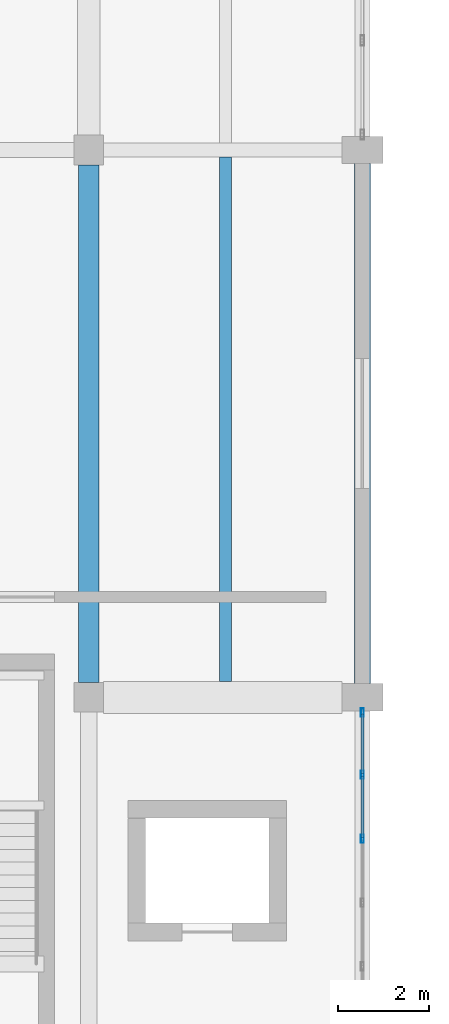
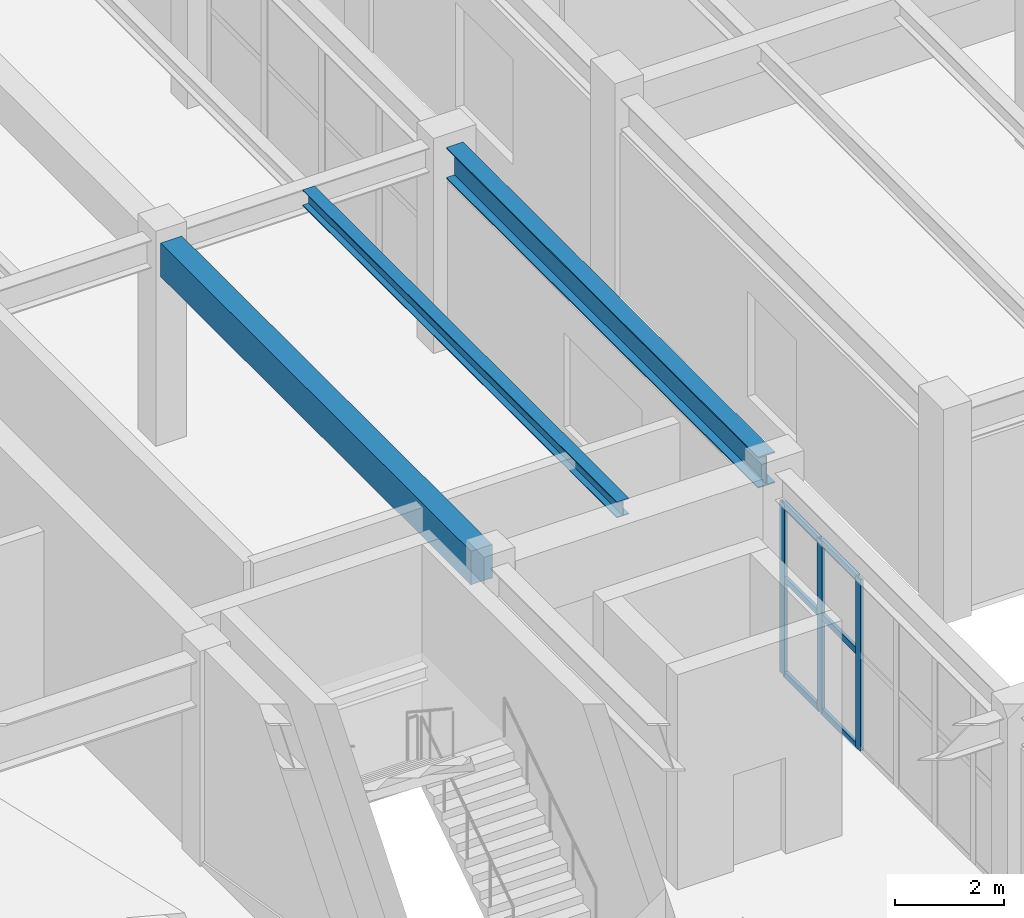
# One storey, part 28 of 80: 9 members, 3 beams, 1 element without a shape of its own.
"""IFC4 building model written with IfcOpenShell, lengths in metres."""

from ifc_helpers import new_model, si_unit, direction, frame, origin, origin_2d, place, context, subcontext, project, spatial, rectangle, hollow_rectangle, i_section, extrude, material, layer, layer_set, material_profile, profile_set, type_object, element, aggregate, save


model = new_model("IFC4")

# Units and contexts
model_context = context("Model", 3, precision=1e-05, world=origin(), true_north=direction((0.0, 1.0)))
body_context = subcontext(model_context, "Body", "Model", "MODEL_VIEW")
ifc_project = project(units=[si_unit("LENGTHUNIT", "METRE"), si_unit("AREAUNIT", "SQUARE_METRE"), si_unit("VOLUMEUNIT", "CUBIC_METRE"), si_unit("PLANEANGLEUNIT", "RADIAN"), si_unit("MASSUNIT", "GRAM", prefix="KILO")], contexts=[model_context])

# Site, building, storey
site_placement = place(None, origin())
site = spatial("IfcSite", under=ifc_project, at=site_placement, CompositionType="ELEMENT")
building_placement = place(site_placement, origin())
building = spatial("IfcBuilding", under=site, at=building_placement, Name="Vaelkrest Opera House", CompositionType="ELEMENT")
storey_placement = place(building_placement, frame((0.0, 0.0, 15.0)))
storey = spatial("IfcBuildingStorey", under=building, at=storey_placement, Name="L03", CompositionType="ELEMENT", Elevation=15.0)

# Beam
ifc_material_1 = material(Name="Concrete C50/60", Category="concrete")
ifc_material_profile_1 = material_profile(ifc_material_1, rectangle(XDim=0.449951171875, YDim=0.75, at=origin_2d()), Name="RCB450X750")
ifc_profile_set_1 = profile_set([ifc_material_profile_1], Name="Concrete C50/60")
beam_type_1 = type_object("IfcBeamType", Name="B02", PredefinedType="BEAM", material=ifc_profile_set_1)
beam_1_placement = place(storey_placement, frame((24.0, -19.47509765625, 4.1298828125), z_axis=(0.0, 1.0, 0.0), x_axis=(-1.0, 0.0, 0.0)))
element("IfcBeam", 1, at=beam_1_placement, inside=storey, type_object=beam_type_1, Name="Beam BM-V1-L03-0503", PredefinedType="BEAM", context=body_context, shape_type="SweptSolid", body=[
    extrude(rectangle(XDim=0.449951171875, YDim=0.75, at=origin_2d()), origin(), (0.0, 0.0, 1.0), 11.35009765625),
])

# Curtain wall, members
ifc_material_2 = material(Name="Dark bronze anodized aluminium", Category="aluminium")
ifc_layer = layer(ifc_material_2, 0.179931640625)
ifc_layer_set = layer_set([ifc_layer], Name="Dark bronze anodized aluminium")
curtain_wall_type = type_object("IfcCurtainWallType", Name="CW01", PredefinedType="NOTDEFINED", material=ifc_layer_set)
curtain_wall_placement = place(storey_placement, origin())
curtain_wall = element("IfcCurtainWall", 2, at=curtain_wall_placement, inside=storey, type_object=curtain_wall_type, Name="Curtain wall CW-L03-053", PredefinedType="NOTDEFINED")
ifc_material_profile_2 = material_profile(ifc_material_2, hollow_rectangle(XDim=0.06494140625, YDim=0.179931640625, WallThickness=0.00390625, at=origin_2d()), Name="CWM65X180")
ifc_profile_set_2 = profile_set([ifc_material_profile_2], Name="Dark bronze anodized aluminium")
member_type_1 = type_object("IfcMemberType", Name="CWM01", PredefinedType="MULLION", material=ifc_profile_set_2)
member_1_placement = place(storey_placement, frame((30.0, -20.130615234375, 0.0), z_axis=(0.0, 0.0, 1.0), x_axis=(1.0, 0.0, 0.0)))
member_1 = element("IfcMember", 3, at=member_1_placement, type_object=member_type_1, Name="CW01 mullion 1", PredefinedType="MULLION", context=body_context, shape_type="SweptSolid", body=[
    extrude(hollow_rectangle(XDim=0.06494140625, YDim=0.179931640625, WallThickness=0.00390625, at=origin_2d()), origin(), (0.0, 0.0, 1.0), 3.8291015625),
])
member_2_placement = place(storey_placement, frame((30.0, -21.498779296875, 0.0), z_axis=(0.0, 0.0, 1.0), x_axis=(1.0, 0.0, 0.0)))
member_2 = element("IfcMember", 4, at=member_2_placement, type_object=member_type_1, Name="CW01 mullion 2", PredefinedType="MULLION", context=body_context, shape_type="SweptSolid", body=[
    extrude(hollow_rectangle(XDim=0.06494140625, YDim=0.179931640625, WallThickness=0.00390625, at=origin_2d()), origin(), (0.0, 0.0, 1.0), 3.8291015625),
])
member_3_placement = place(storey_placement, frame((30.0, -22.8994140625, 0.0), z_axis=(0.0, 0.0, 1.0), x_axis=(1.0, 0.0, 0.0)))
member_3 = element("IfcMember", 5, at=member_3_placement, type_object=member_type_1, Name="CW01 mullion 3", PredefinedType="MULLION", context=body_context, shape_type="SweptSolid", body=[
    extrude(hollow_rectangle(XDim=0.06494140625, YDim=0.179931640625, WallThickness=0.00390625, at=origin_2d()), origin(), (0.0, 0.0, 1.0), 3.8291015625),
])
ifc_material_profile_3 = material_profile(ifc_material_2, hollow_rectangle(XDim=0.06494140625, YDim=0.139892578125, WallThickness=0.00390625, at=origin_2d()), Name="CWT65X140")
ifc_profile_set_3 = profile_set([ifc_material_profile_3], Name="Dark bronze anodized aluminium")
member_type_2 = type_object("IfcMemberType", Name="CWT01", PredefinedType="USERDEFINED", material=ifc_profile_set_3)
member_4_placement = place(storey_placement, frame((30.0, -20.1630859375, 0.032470703125), z_axis=(0.0, -1.0, 0.0), x_axis=(1.0, 0.0, 0.0)))
member_4 = element("IfcMember", 6, at=member_4_placement, type_object=member_type_2, Name="CW01 transom 1.1", ObjectType="TRANSOM", PredefinedType="USERDEFINED", context=body_context, shape_type="SweptSolid", body=[
    extrude(hollow_rectangle(XDim=0.06494140625, YDim=0.139892578125, WallThickness=0.00390625, at=origin_2d()), origin(), (0.0, 0.0, 1.0), 1.302978515625),
])
member_5_placement = place(storey_placement, frame((30.0, -20.1630859375, 2.14990234375), z_axis=(0.0, -1.0, 0.0), x_axis=(1.0, 0.0, 0.0)))
member_5 = element("IfcMember", 7, at=member_5_placement, type_object=member_type_2, Name="CW01 transom 1.2", ObjectType="TRANSOM", PredefinedType="USERDEFINED", context=body_context, shape_type="SweptSolid", body=[
    extrude(hollow_rectangle(XDim=0.06494140625, YDim=0.139892578125, WallThickness=0.00390625, at=origin_2d()), origin(), (0.0, 0.0, 1.0), 1.302978515625),
])
member_6_placement = place(storey_placement, frame((30.0, -20.1630859375, 3.79638671875), z_axis=(0.0, -1.0, 0.0), x_axis=(1.0, 0.0, 0.0)))
member_6 = element("IfcMember", 8, at=member_6_placement, type_object=member_type_2, Name="CW01 transom 1.3", ObjectType="TRANSOM", PredefinedType="USERDEFINED", context=body_context, shape_type="SweptSolid", body=[
    extrude(hollow_rectangle(XDim=0.06494140625, YDim=0.139892578125, WallThickness=0.00390625, at=origin_2d()), origin(), (0.0, 0.0, 1.0), 1.302978515625),
])
member_7_placement = place(storey_placement, frame((30.0, -21.53125, 0.032470703125), z_axis=(0.0, -1.0, 0.0), x_axis=(1.0, 0.0, 0.0)))
member_7 = element("IfcMember", 9, at=member_7_placement, type_object=member_type_2, Name="CW01 transom 2.1", ObjectType="TRANSOM", PredefinedType="USERDEFINED", context=body_context, shape_type="SweptSolid", body=[
    extrude(hollow_rectangle(XDim=0.06494140625, YDim=0.139892578125, WallThickness=0.00390625, at=origin_2d()), origin(), (0.0, 0.0, 1.0), 1.335693359375),
])
member_8_placement = place(storey_placement, frame((30.0, -21.53125, 2.14990234375), z_axis=(0.0, -1.0, 0.0), x_axis=(1.0, 0.0, 0.0)))
member_8 = element("IfcMember", 10, at=member_8_placement, type_object=member_type_2, Name="CW01 transom 2.2", ObjectType="TRANSOM", PredefinedType="USERDEFINED", context=body_context, shape_type="SweptSolid", body=[
    extrude(hollow_rectangle(XDim=0.06494140625, YDim=0.139892578125, WallThickness=0.00390625, at=origin_2d()), origin(), (0.0, 0.0, 1.0), 1.335693359375),
])
member_9_placement = place(storey_placement, frame((30.0, -21.53125, 3.79638671875), z_axis=(0.0, -1.0, 0.0), x_axis=(1.0, 0.0, 0.0)))
member_9 = element("IfcMember", 11, at=member_9_placement, type_object=member_type_2, Name="CW01 transom 2.3", ObjectType="TRANSOM", PredefinedType="USERDEFINED", context=body_context, shape_type="SweptSolid", body=[
    extrude(hollow_rectangle(XDim=0.06494140625, YDim=0.139892578125, WallThickness=0.00390625, at=origin_2d()), origin(), (0.0, 0.0, 1.0), 1.335693359375),
])
aggregate(curtain_wall, [member_1, member_2, member_3, member_4, member_5, member_6, member_7, member_8, member_9])

# Beams
ifc_material_3 = material(Name="Steel A992 Gr50", Category="steel")
ifc_material_profile_4 = material_profile(ifc_material_3, i_section(OverallWidth=0.2548828125, OverallDepth=0.35693359375, WebThickness=0.010498046875, FlangeThickness=0.018310546875, at=origin_2d()), Name="W14X68")
ifc_profile_set_4 = profile_set([ifc_material_profile_4], Name="Steel A992 Gr50")
beam_type_2 = type_object("IfcBeamType", Name="J05", PredefinedType="JOIST", material=ifc_profile_set_4)
beam_2_placement = place(storey_placement, frame((27.0, -19.449951171875, 4.326416015625), z_axis=(0.0, 1.0, 0.0), x_axis=(-1.0, 0.0, 0.0)))
element("IfcBeam", 12, at=beam_2_placement, inside=storey, type_object=beam_type_2, Name="Floor joist JST-V1-L03-0525", PredefinedType="JOIST", context=body_context, shape_type="SweptSolid", body=[
    extrude(i_section(OverallWidth=0.2548828125, OverallDepth=0.35693359375, WebThickness=0.010498046875, FlangeThickness=0.018310546875, at=origin_2d()), origin(), (0.0, 0.0, 1.0), 11.492431640625),
])
ifc_material_profile_5 = material_profile(ifc_material_3, i_section(OverallWidth=0.35498046875, OverallDepth=0.695068359375, WebThickness=0.015380859375, FlangeThickness=0.02490234375, at=origin_2d()), Name="W27X146")
ifc_profile_set_5 = profile_set([ifc_material_profile_5], Name="Steel A992 Gr50")
beam_type_3 = type_object("IfcBeamType", Name="SP02", PredefinedType="SPANDREL", material=ifc_profile_set_5)
beam_3_placement = place(storey_placement, frame((30.0, -19.5, 4.157470703125), z_axis=(0.0, 1.0, 0.0), x_axis=(-1.0, 0.0, 0.0)))
element("IfcBeam", 13, at=beam_3_placement, inside=storey, type_object=beam_type_3, Name="Beam BM-V1-L03-0511", PredefinedType="SPANDREL", context=body_context, shape_type="SweptSolid", body=[
    extrude(i_section(OverallWidth=0.35498046875, OverallDepth=0.695068359375, WebThickness=0.015380859375, FlangeThickness=0.02490234375, at=origin_2d()), origin(), (0.0, 0.0, 1.0), 11.39990234375),
])

save(model, "model.ifc")
